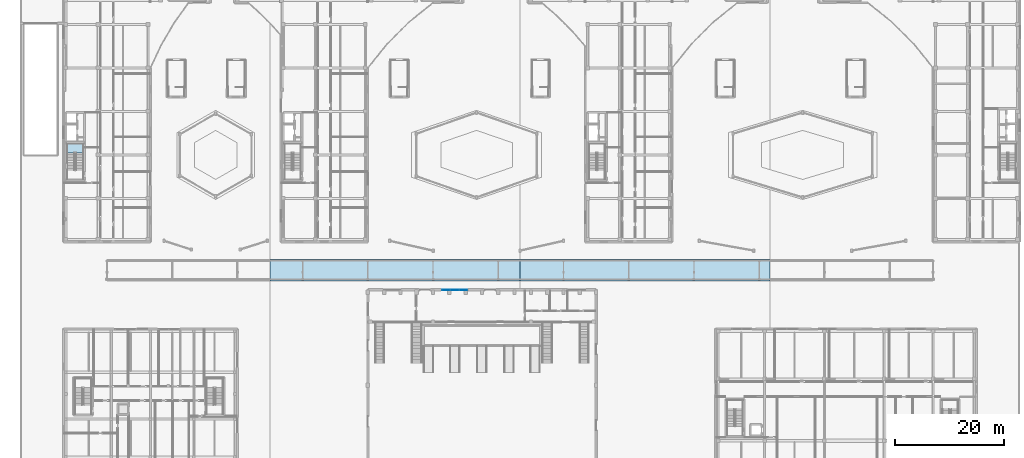
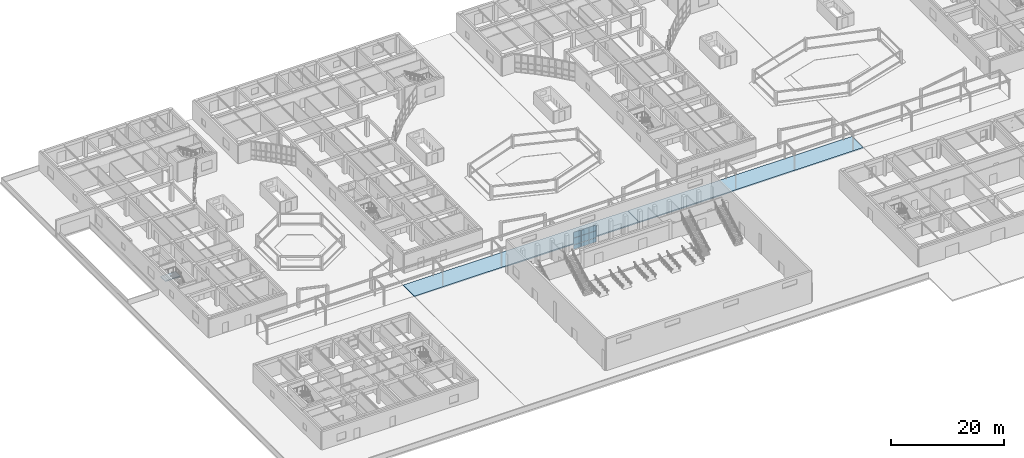
# One storey, part 61 of 114: 9 plates, 3 slabs, 2 elements without a shape of their own.
"""IFC4 building model written with IfcOpenShell, lengths in metres."""

import ifcopenshell
import ifcopenshell.guid

model = None  # the IFC model being written
_history = None  # IfcOwnerHistory: only IFC2X3 demands one
_inside = {}  # id of a spatial element -> (the spatial element, [elements in it])
_under = {}  # id of a project, library or spatial element -> (it, [spatial elements below it])
_declared = {}  # id of a project -> (the project, [libraries it declares])
_typed = {}  # id of a type object -> (the type object, [elements of that type])
_made_of = {}  # id of a material, layer set ... -> (it, [elements and type objects made of it])


def new_model(schema):
    """Start an empty IFC model of exactly this schema.

    Asked for "IFC4X3", IfcOpenShell would pick the latest addendum, in which some entities
    have other attributes; the version numbers below select the first issue.
    IFC2X3 requires an IfcOwnerHistory on every rooted entity: one is made here for all.
    """
    global model, _history
    if schema == "IFC4X3":
        model = ifcopenshell.file(schema_version=(4, 3, 0, 0))
    else:
        model = ifcopenshell.file(schema=schema)
    _inside.clear()
    _under.clear()
    _declared.clear()
    _typed.clear()
    _made_of.clear()
    _history = None
    if model.schema == "IFC2X3":
        org = make("IfcOrganization", Name="unknown")
        user = make(
            "IfcPersonAndOrganization",
            ThePerson=make("IfcPerson", FamilyName="unknown"),
            TheOrganization=org,
        )
        app = make(
            "IfcApplication",
            ApplicationDeveloper=org,
            Version="unknown",
            ApplicationFullName="unknown",
            ApplicationIdentifier="unknown",
        )
        _history = make(
            "IfcOwnerHistory",
            OwningUser=user,
            OwningApplication=app,
            ChangeAction="ADDED",
            CreationDate=0,
        )
    return model


def make(cls, **values):
    """One entity of the class cls with the attributes given. An attribute that is None is left unset."""
    return model.create_entity(
        cls, **{name: value for name, value in values.items() if value is not None}
    )


def rooted(cls, **values):
    """An entity with a GlobalId (a new one), such as an element, a storey or a relation."""
    return make(cls, GlobalId=ifcopenshell.guid.new(), OwnerHistory=_history, **values)


def si_unit(unit_type, name, prefix=None):
    """IfcSIUnit, for example si_unit("LENGTHUNIT", "METRE", prefix="MILLI")."""
    return make("IfcSIUnit", UnitType=unit_type, Prefix=prefix, Name=name)


def assignment(units):
    """IfcUnitAssignment: the units of a project."""
    return None if units is None else make("IfcUnitAssignment", Units=units)


def point(xyz):
    """IfcCartesianPoint."""
    return None if xyz is None else make("IfcCartesianPoint", Coordinates=xyz)


def direction(xyz):
    """IfcDirection."""
    return None if xyz is None else make("IfcDirection", DirectionRatios=xyz)


def frame(location, z_axis=None, x_axis=None):
    """IfcAxis2Placement3D, a coordinate frame: its origin and axes. An axis left out is left unset."""
    return make(
        "IfcAxis2Placement3D",
        Location=point(location),
        Axis=direction(z_axis),
        RefDirection=direction(x_axis),
    )


def frame_2d(location, x_axis=None):
    """IfcAxis2Placement2D, a coordinate frame in the plane: its origin and x axis."""
    return make(
        "IfcAxis2Placement2D", Location=point(location), RefDirection=direction(x_axis)
    )


def origin():
    """The frame at (0, 0, 0) with its axes left unset."""
    return frame((0.0, 0.0, 0.0))


def origin_2d():
    """The frame at (0, 0) in the plane with its x axis left unset."""
    return frame_2d((0.0, 0.0))


def place(relative_to, where):
    """IfcLocalPlacement: puts the frame where relative to a parent placement (None: the world)."""
    return make(
        "IfcLocalPlacement", PlacementRelTo=relative_to, RelativePlacement=where
    )


def context(
    kind, dimensions, precision=None, world=None, true_north=None, identifier=None
):
    """IfcGeometricRepresentationContext, for example the 3D "Model" context."""
    return make(
        "IfcGeometricRepresentationContext",
        ContextIdentifier=identifier,
        ContextType=kind,
        CoordinateSpaceDimension=dimensions,
        Precision=precision,
        WorldCoordinateSystem=world,
        TrueNorth=true_north,
    )


def subcontext(parent, identifier, kind, view, scale=None):
    """IfcGeometricRepresentationSubContext, for example "Body" below "Model"."""
    return make(
        "IfcGeometricRepresentationSubContext",
        ContextIdentifier=identifier,
        ContextType=kind,
        ParentContext=parent,
        TargetScale=scale,
        TargetView=view,
    )


def project(units=None, contexts=None):
    """IfcProject with its units and contexts."""
    return rooted(
        "IfcProject",
        Name="project",
        RepresentationContexts=contexts,
        UnitsInContext=assignment(units),
    )


def spatial(cls, under=None, at=None, **own):
    """A site, building, storey or space (cls), placed at a placement, below another one or the project."""
    s = rooted(cls, ObjectPlacement=at, **own)
    if under is not None:
        _under.setdefault(under.id(), (under, []))[1].append(s)
    return s


def polyline(points):
    """IfcPolyline through the points."""
    return make("IfcPolyline", Points=[point(p) for p in points])


def profile(cls, at=None, kind="AREA", **sizes):
    """A parametric profile (cls). Its sizes go by their IFC names, for example OverallWidth=200.0."""
    return make(cls, ProfileType=kind, Position=at, **sizes)


def rectangle(**sizes):
    """IfcRectangleProfileDef."""
    return profile("IfcRectangleProfileDef", **sizes)


def outline(outer, holes=None, kind="AREA"):
    """IfcArbitraryClosedProfileDef: a profile drawn as a closed curve; with holes, ...WithVoids."""
    if holes is None:
        return make("IfcArbitraryClosedProfileDef", ProfileType=kind, OuterCurve=outer)
    return make(
        "IfcArbitraryProfileDefWithVoids",
        ProfileType=kind,
        OuterCurve=outer,
        InnerCurves=holes,
    )


def extrude(swept, where, along, depth):
    """IfcExtrudedAreaSolid: the profile swept, set in the frame where, extruded along a direction by depth."""
    return make(
        "IfcExtrudedAreaSolid",
        SweptArea=swept,
        Position=where,
        ExtrudedDirection=direction(along),
        Depth=depth,
    )


def shape(context_of_items, identifier, shape_type, items):
    """IfcShapeRepresentation: the items that make up one representation, for example the "Body"."""
    return make(
        "IfcShapeRepresentation",
        ContextOfItems=context_of_items,
        RepresentationIdentifier=identifier,
        RepresentationType=shape_type,
        Items=items,
    )


def material(Name=None, Category=None):
    """IfcMaterial."""
    return make("IfcMaterial", Name=Name, Category=Category)


def layer(
    of_material, thickness, ventilated=None, Name=None, Category=None, Priority=None
):
    """IfcMaterialLayer: one layer of a wall or slab, of a material (None: an air gap)."""
    return make(
        "IfcMaterialLayer",
        Material=of_material,
        LayerThickness=thickness,
        IsVentilated=ventilated,
        Name=Name,
        Category=Category,
        Priority=Priority,
    )


def layer_set(layers, Name=None):
    """IfcMaterialLayerSet."""
    return make("IfcMaterialLayerSet", MaterialLayers=layers, LayerSetName=Name)


def made_of(thing, what):
    """Note that an element or type object is made of a material, layer set ...; save() writes the relation."""
    if what is not None:
        _made_of.setdefault(what.id(), (what, []))[1].append(thing)
    return thing


def type_object(cls, material=None, **own):
    """A type object (cls), such as IfcWallType, which elements share."""
    return made_of(rooted(cls, **own), material)


def element(
    cls,
    number,
    at=None,
    inside=None,
    cuts=None,
    type_object=None,
    material=None,
    context=None,
    identifier="Body",
    shape_type=None,
    held_by="IfcProductDefinitionShape",
    body=None,
    shapes=None,
    **own,
):
    """One element of the class cls, such as IfcWall. Its Tag is "e" and its number.

    at: its placement. inside: the storey or other place that contains it. cuts: it is an
    opening in that element (IfcRelVoidsElement). A single representation is given by context,
    identifier, shape_type and body (its items); several are given by shapes. held_by: the class
    of the entity that holds the representations. save() writes the other relations.
    """
    e = rooted(cls, Tag="e%d" % number, ObjectPlacement=at, **own)
    if body is not None:
        shapes = [shape(context, identifier, shape_type, body)]
    if shapes is not None:
        e.Representation = make(held_by, Representations=shapes)
    if inside is not None:
        _inside.setdefault(inside.id(), (inside, []))[1].append(e)
    if cuts is not None:
        rooted(
            "IfcRelVoidsElement", RelatingBuildingElement=cuts, RelatedOpeningElement=e
        )
    if type_object is not None:
        _typed.setdefault(type_object.id(), (type_object, []))[1].append(e)
    return made_of(e, material)


def aggregate(whole, parts):
    """IfcRelAggregates: a whole, such as a stair, and the parts it consists of."""
    return rooted("IfcRelAggregates", RelatingObject=whole, RelatedObjects=parts)


def save(model, path):
    """Write the relations noted so far, then the file.

    IfcRelAggregates (storeys below a building ...), IfcRelContainedInSpatialStructure (elements
    in a storey), IfcRelDefinesByType, IfcRelAssociatesMaterial and IfcRelDeclares: one each for
    every whole, place, type object, material and project.
    """
    for whole, parts in _under.values():
        aggregate(whole, parts)
    for where, things in _inside.values():
        rooted(
            "IfcRelContainedInSpatialStructure",
            RelatedElements=things,
            RelatingStructure=where,
        )
    for kind, things in _typed.values():
        rooted("IfcRelDefinesByType", RelatedObjects=things, RelatingType=kind)
    for what, things in _made_of.values():
        rooted("IfcRelAssociatesMaterial", RelatedObjects=things, RelatingMaterial=what)
    for by, libraries in _declared.values():
        rooted("IfcRelDeclares", RelatingContext=by, RelatedDefinitions=libraries)
    model.write(path)


model = new_model("IFC4")

# Units and contexts
model_context = context("Model", 3, precision=1e-05, world=origin(), true_north=direction((0.0, 1.0)))
body_context = subcontext(model_context, "Body", "Model", "MODEL_VIEW")
ifc_project = project(units=[si_unit("LENGTHUNIT", "METRE"), si_unit("AREAUNIT", "SQUARE_METRE"), si_unit("VOLUMEUNIT", "CUBIC_METRE"), si_unit("PLANEANGLEUNIT", "RADIAN"), si_unit("MASSUNIT", "GRAM", prefix="KILO")], contexts=[model_context])

# Site, building, storey
site_placement = place(None, origin())
site = spatial("IfcSite", under=ifc_project, at=site_placement, CompositionType="ELEMENT")
building_placement = place(site_placement, origin())
building = spatial("IfcBuilding", under=site, at=building_placement, Name="Keldmere Railside Commons", CompositionType="ELEMENT")
storey_placement = place(building_placement, origin())
storey = spatial("IfcBuildingStorey", under=building, at=storey_placement, Name="L00", CompositionType="ELEMENT", Elevation=0.0)

# Curtain wall, plates
ifc_material_1 = material(Name="Thermally Broken Aluminium", Category="aluminium")
ifc_layer_1 = layer(ifc_material_1, 0.159912109375, Name="Community Hall Foyer Glazed Screen CW 4800x3800")
ifc_layer_set_1 = layer_set([ifc_layer_1], Name="Thermally Broken Aluminium")
curtain_wall_type = type_object("IfcCurtainWallType", Name="Community Hall Foyer Glazed Screen CW 4800x3800", PredefinedType="NOTDEFINED", material=ifc_layer_set_1)
curtain_wall_placement = place(storey_placement, origin())
curtain_wall = element("IfcCurtainWall", 1, at=curtain_wall_placement, inside=storey, type_object=curtain_wall_type, Name="CW-05 CW-L00-211", PredefinedType="NOTDEFINED")
ifc_material_2 = material(Name="Low-E Insulated Double Glazing", Category="glass")
ifc_layer_2 = layer(ifc_material_2, 0.033935546875, Name="Acoustic Laminated Vision Panel 34")
ifc_layer_set_2 = layer_set([ifc_layer_2], Name="Low-E Insulated Double Glazing")
plate_type = type_object("IfcPlateType", Name="Acoustic Laminated Vision Panel 34", PredefinedType="CURTAIN_PANEL", material=ifc_layer_set_2)
plate_1_placement = place(storey_placement, frame((78.416259765625, 47.14990234375, 0.06494140625), z_axis=(0.0, 0.0, 1.0), x_axis=(1.0, 0.0, 0.0)))
plate_1 = element("IfcPlate", 2, at=plate_1_placement, type_object=plate_type, Name="CW-05 panel 1.1", PredefinedType="CURTAIN_PANEL", context=body_context, shape_type="SweptSolid", body=[
    extrude(rectangle(XDim=1.50244140625, YDim=0.033935546875, at=origin_2d()), origin(), (0.0, 0.0, 1.0), 0.902587890625),
])
plate_2_placement = place(storey_placement, frame((78.416259765625, 47.14990234375, 1.032470703125), z_axis=(0.0, 0.0, 1.0), x_axis=(1.0, 0.0, 0.0)))
plate_2 = element("IfcPlate", 3, at=plate_2_placement, type_object=plate_type, Name="CW-05 panel 1.2", PredefinedType="CURTAIN_PANEL", context=body_context, shape_type="SweptSolid", body=[
    extrude(rectangle(XDim=1.50244140625, YDim=0.033935546875, at=origin_2d()), origin(), (0.0, 0.0, 1.0), 1.43505859375),
])
plate_3_placement = place(storey_placement, frame((78.416259765625, 47.14990234375, 2.53271484375), z_axis=(0.0, 0.0, 1.0), x_axis=(1.0, 0.0, 0.0)))
plate_3 = element("IfcPlate", 4, at=plate_3_placement, type_object=plate_type, Name="CW-05 panel 1.3", PredefinedType="CURTAIN_PANEL", context=body_context, shape_type="SweptSolid", body=[
    extrude(rectangle(XDim=1.50244140625, YDim=0.033935546875, at=origin_2d()), origin(), (0.0, 0.0, 1.0), 1.202392578125),
])
plate_4_placement = place(storey_placement, frame((80.0, 47.14990234375, 0.06494140625), z_axis=(0.0, 0.0, 1.0), x_axis=(1.0, 0.0, 0.0)))
plate_4 = element("IfcPlate", 5, at=plate_4_placement, type_object=plate_type, Name="CW-05 panel 2.1", PredefinedType="CURTAIN_PANEL", context=body_context, shape_type="SweptSolid", body=[
    extrude(rectangle(XDim=1.534912109375, YDim=0.033935546875, at=origin_2d()), origin(), (0.0, 0.0, 1.0), 0.902587890625),
])
plate_5_placement = place(storey_placement, frame((80.0, 47.14990234375, 1.032470703125), z_axis=(0.0, 0.0, 1.0), x_axis=(1.0, 0.0, 0.0)))
plate_5 = element("IfcPlate", 6, at=plate_5_placement, type_object=plate_type, Name="CW-05 panel 2.2", PredefinedType="CURTAIN_PANEL", context=body_context, shape_type="SweptSolid", body=[
    extrude(rectangle(XDim=1.534912109375, YDim=0.033935546875, at=origin_2d()), origin(), (0.0, 0.0, 1.0), 1.43505859375),
])
plate_6_placement = place(storey_placement, frame((80.0, 47.14990234375, 2.53271484375), z_axis=(0.0, 0.0, 1.0), x_axis=(1.0, 0.0, 0.0)))
plate_6 = element("IfcPlate", 7, at=plate_6_placement, type_object=plate_type, Name="CW-05 panel 2.3", PredefinedType="CURTAIN_PANEL", context=body_context, shape_type="SweptSolid", body=[
    extrude(rectangle(XDim=1.534912109375, YDim=0.033935546875, at=origin_2d()), origin(), (0.0, 0.0, 1.0), 1.202392578125),
])
plate_7_placement = place(storey_placement, frame((81.583740234375, 47.14990234375, 0.06494140625), z_axis=(0.0, 0.0, 1.0), x_axis=(1.0, 0.0, 0.0)))
plate_7 = element("IfcPlate", 8, at=plate_7_placement, type_object=plate_type, Name="CW-05 panel 3.1", PredefinedType="CURTAIN_PANEL", context=body_context, shape_type="SweptSolid", body=[
    extrude(rectangle(XDim=1.50244140625, YDim=0.033935546875, at=origin_2d()), origin(), (0.0, 0.0, 1.0), 0.902587890625),
])
plate_8_placement = place(storey_placement, frame((81.583740234375, 47.14990234375, 1.032470703125), z_axis=(0.0, 0.0, 1.0), x_axis=(1.0, 0.0, 0.0)))
plate_8 = element("IfcPlate", 9, at=plate_8_placement, type_object=plate_type, Name="CW-05 panel 3.2", PredefinedType="CURTAIN_PANEL", context=body_context, shape_type="SweptSolid", body=[
    extrude(rectangle(XDim=1.50244140625, YDim=0.033935546875, at=origin_2d()), origin(), (0.0, 0.0, 1.0), 1.43505859375),
])
plate_9_placement = place(storey_placement, frame((81.583740234375, 47.14990234375, 2.53271484375), z_axis=(0.0, 0.0, 1.0), x_axis=(1.0, 0.0, 0.0)))
plate_9 = element("IfcPlate", 10, at=plate_9_placement, type_object=plate_type, Name="CW-05 panel 3.3", PredefinedType="CURTAIN_PANEL", context=body_context, shape_type="SweptSolid", body=[
    extrude(rectangle(XDim=1.50244140625, YDim=0.033935546875, at=origin_2d()), origin(), (0.0, 0.0, 1.0), 1.202392578125),
])
aggregate(curtain_wall, [plate_1, plate_2, plate_3, plate_4, plate_5, plate_6, plate_7, plate_8, plate_9])

# Slabs
ifc_material_3 = material(Name="Concrete H-35 (C35/45)", Category="concrete")
ifc_layer_3 = layer(ifc_material_3, 0.239990234375, Name="Covered Colonnade Walkway Deck 240")
ifc_layer_set_3 = layer_set([ifc_layer_3], Name="Concrete H-35 (C35/45)")
slab_type_1 = type_object("IfcSlabType", Name="Covered Colonnade Walkway Deck 240", PredefinedType="FLOOR", material=ifc_layer_set_3)
slab_1_placement = place(storey_placement, frame((0.0, 0.0, -0.239990234375)))
element("IfcSlab", 11, at=slab_1_placement, inside=storey, type_object=slab_type_1, Name="PD-2 COLDECK-L00-082", PredefinedType="FLOOR", context=body_context, shape_type="SweptSolid", body=[
    extrude(outline(polyline([(91.969970703125, 52.800048828125), (46.030029296875, 52.800048828125), (46.030029296875, 48.800048828125), (91.969970703125, 48.800048828125), (91.969970703125, 52.800048828125)])), origin(), (0.0, 0.0, 1.0), 0.239990234375),
])
slab_2_placement = place(storey_placement, frame((0.0, 0.0, -0.239990234375)))
element("IfcSlab", 12, at=slab_2_placement, inside=storey, type_object=slab_type_1, Name="PD-2 COLDECK-L00-083", PredefinedType="FLOOR", context=body_context, shape_type="SweptSolid", body=[
    extrude(outline(polyline([(137.969970703125, 52.800048828125), (92.030029296875, 52.800048828125), (92.030029296875, 48.800048828125), (137.969970703125, 48.800048828125), (137.969970703125, 52.800048828125)])), origin(), (0.0, 0.0, 1.0), 0.239990234375),
])

# Stair, slab
ifc_material_4 = material(Name="Concrete H-30 (C30/37)", Category="concrete")
stair_type = type_object("IfcStairType", Name="Ground Podium Dogleg Stair 1450", PredefinedType="HALF_TURN_STAIR", material=ifc_material_4)
stair_placement = place(storey_placement, origin())
stair = element("IfcStair", 13, at=stair_placement, inside=storey, type_object=stair_type, Name="L00 Block D Primary Escape Stair 1", PredefinedType="HALF_TURN_STAIR")
ifc_layer_4 = layer(ifc_material_4, 0.199951171875, Name="Enclosed Stair Landing Slab 200")
ifc_layer_set_4 = layer_set([ifc_layer_4], Name="Concrete H-30 (C30/37)")
slab_type_2 = type_object("IfcSlabType", Name="Enclosed Stair Landing Slab 200", PredefinedType="LANDING", material=ifc_layer_set_4)
slab_3_placement = place(storey_placement, frame((0.0, 0.0, 1.8798828125)))
slab_3 = element("IfcSlab", 14, at=slab_3_placement, type_object=slab_type_2, Name="ST-D1 landing 1", PredefinedType="LANDING", context=body_context, shape_type="SweptSolid", body=[
    extrude(outline(polyline([(11.699951171875, 72.389892578125), (11.699951171875, 74.10009765625), (8.64990234375, 74.10009765625), (8.64990234375, 72.389892578125), (11.699951171875, 72.389892578125)])), origin(), (0.0, 0.0, 1.0), 0.2001953125),
])
aggregate(stair, [slab_3])

save(model, "model.ifc")
